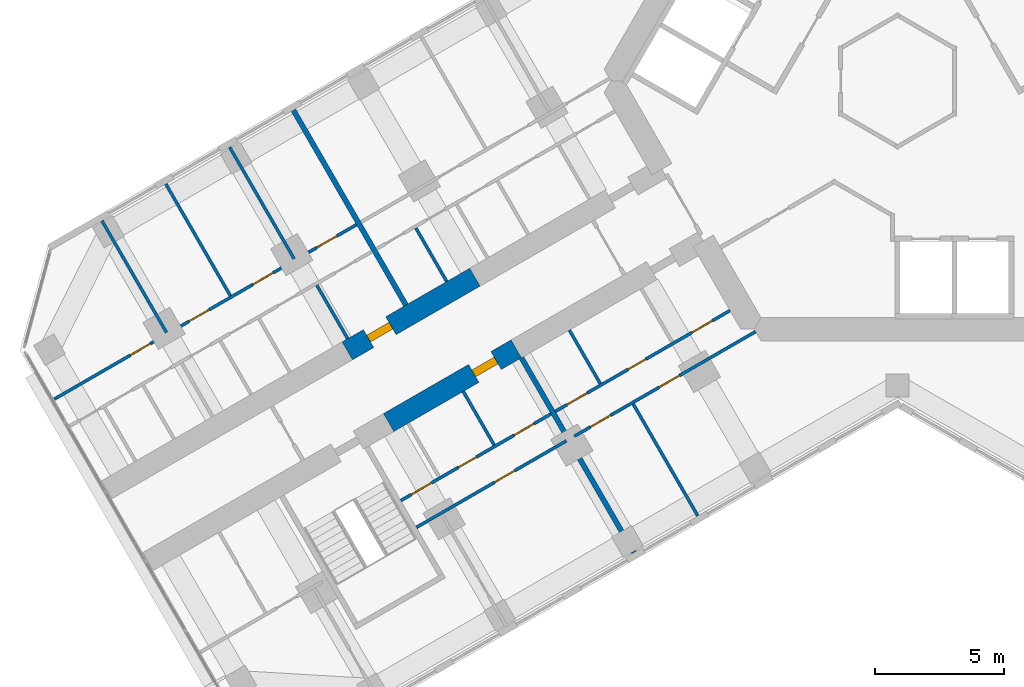
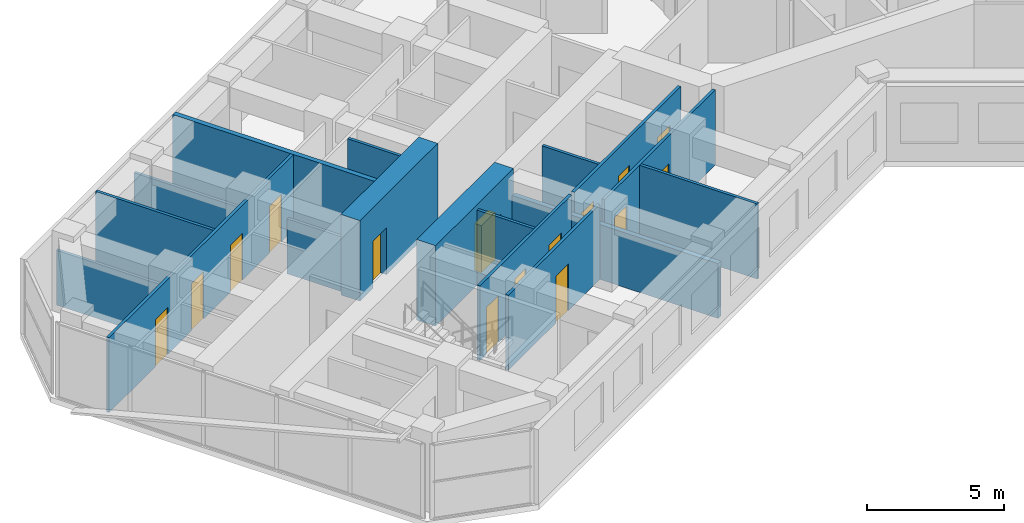
# One storey, part 11 of 20: 17 walls, 15 doors, 15 openings.
"""IFC4 building model written with IfcOpenShell, lengths in metres."""

from ifc_helpers import new_model, si_unit, direction, frame, frame_2d, origin, place, context, subcontext, project, spatial, rectangle, extrude, material, layer, layer_set, type_object, element, fill, save


model = new_model("IFC4")

# Units and contexts
model_context = context("Model", 3, precision=1e-05, world=origin(), true_north=direction((0.0, 1.0)))
body_context = subcontext(model_context, "Body", "Model", "MODEL_VIEW")
ifc_project = project(units=[si_unit("LENGTHUNIT", "METRE"), si_unit("AREAUNIT", "SQUARE_METRE"), si_unit("VOLUMEUNIT", "CUBIC_METRE"), si_unit("PLANEANGLEUNIT", "RADIAN"), si_unit("MASSUNIT", "GRAM", prefix="KILO")], contexts=[model_context])

# Site, building, storey
site_placement = place(None, origin())
site = spatial("IfcSite", under=ifc_project, at=site_placement, CompositionType="ELEMENT")
building_placement = place(site_placement, origin())
building = spatial("IfcBuilding", under=site, at=building_placement, Name="Kosmar Iwan School Tower", CompositionType="ELEMENT")
storey_placement = place(building_placement, frame((0.0, 0.0, 131.0)))
storey = spatial("IfcBuildingStorey", under=building, at=storey_placement, Name="L32", CompositionType="ELEMENT", Elevation=131.0)

# Wall, opening, door
ifc_material_1 = material(Name="Concrete C50/60", Category="concrete")
ifc_layer_1 = layer(ifc_material_1, 0.800048828125)
ifc_layer_set_1 = layer_set([ifc_layer_1], Name="Corridor buttress wall 800")
wall_type_1 = type_object("IfcWallType", Name="Corridor buttress wall 800", PredefinedType="SHEAR", material=ifc_layer_set_1)
wall_1_placement = place(storey_placement, frame((-14.7451171875, -10.360595703125, 0.0), z_axis=(0.0, 0.0, 1.0), x_axis=(-0.866015111908, -0.50001782563, 0.0)))
wall_1 = element("IfcWall", 1, at=wall_1_placement, inside=storey, type_object=wall_type_1, Name="Corridor wall BL bay 2", PredefinedType="SHEAR", context=body_context, shape_type="SweptSolid", body=[
    extrude(rectangle(XDim=5.699951171875, YDim=0.800048828125, at=frame_2d((2.85009765625, 0.0))), origin(), (0.0, 0.0, 1.0), 3.60009765625),
])
opening_1_placement = place(wall_1_placement, frame((0.89990234375, 0.0, 0.0)))
opening_1 = element("IfcOpeningElement", 2, at=opening_1_placement, cuts=wall_1, Name="Opening D1", PredefinedType="OPENING", context=body_context, shape_type="SweptSolid", body=[
    extrude(rectangle(XDim=1.0, YDim=2.10009765625, at=frame_2d((0.5, 1.050048828125))), frame((0.0, 0.412109375, 0.0), z_axis=(0.0, -1.0, 0.0), x_axis=(1.0, 0.0, 0.0)), (0.0, 0.0, 1.0), 0.823974609375),
])
ifc_material_2 = material(Name="Timber fire door in steel frame", Category="steel")
door_type_1 = type_object("IfcDoorType", Name="Flat entrance door 1000x2100", OperationType="SINGLE_SWING_LEFT", PredefinedType="DOOR", material=ifc_material_2)
door_1_placement = place(opening_1_placement, origin())
door_1 = element("IfcDoor", 3, at=door_1_placement, inside=storey, type_object=door_type_1, Name="Flat L32-BL2 entrance door", OperationType="SINGLE_SWING_RIGHT", OverallHeight=2.10009765625, OverallWidth=1.0, PredefinedType="DOOR", context=body_context, shape_type="SweptSolid", body=[
    extrude(rectangle(XDim=1.0, YDim=2.10009765625, at=frame_2d((0.5, 1.050048828125))), frame((0.0, 0.14990234375, 0.0), z_axis=(0.0, -1.0, 0.0), x_axis=(1.0, 0.0, 0.0)), (0.0, 0.0, 1.0), 0.300048828125),
])
fill(opening_1, door_1)

wall_2_placement = place(storey_placement, frame((-16.34521484375, -7.58935546875, 0.0), z_axis=(0.0, 0.0, 1.0), x_axis=(-0.866015111908, -0.50001782563, 0.0)))
wall_2 = element("IfcWall", 4, at=wall_2_placement, inside=storey, type_object=wall_type_1, Name="Corridor wall BR bay 2", PredefinedType="SHEAR", context=body_context, shape_type="SweptSolid", body=[
    extrude(rectangle(XDim=5.699951171875, YDim=0.800048828125, at=frame_2d((2.85009765625, 0.0))), origin(), (0.0, 0.0, 1.0), 3.60009765625),
])
opening_2_placement = place(wall_2_placement, frame((3.75, 0.0, 0.0)))
opening_2 = element("IfcOpeningElement", 5, at=opening_2_placement, cuts=wall_2, Name="Opening D1", PredefinedType="OPENING", context=body_context, shape_type="SweptSolid", body=[
    extrude(rectangle(XDim=1.0, YDim=2.10009765625, at=frame_2d((0.5, 1.050048828125))), frame((0.0, 0.412109375, 0.0), z_axis=(0.0, -1.0, 0.0), x_axis=(1.0, 0.0, 0.0)), (0.0, 0.0, 1.0), 0.823974609375),
])
door_2_placement = place(opening_2_placement, origin())
door_2 = element("IfcDoor", 6, at=door_2_placement, inside=storey, type_object=door_type_1, Name="Flat L32-BR2 entrance door", OperationType="SINGLE_SWING_RIGHT", OverallHeight=2.10009765625, OverallWidth=1.0, PredefinedType="DOOR", context=body_context, shape_type="SweptSolid", body=[
    extrude(rectangle(XDim=1.0, YDim=2.10009765625, at=frame_2d((0.5, 1.050048828125))), frame((0.0, 0.14990234375, 0.0), z_axis=(0.0, -1.0, 0.0), x_axis=(1.0, 0.0, 0.0)), (0.0, 0.0, 1.0), 0.300048828125),
])
fill(opening_2, door_2)

# Wall, openings, doors
ifc_material_3 = material(Name="Gypsum board on steel studs", Category="steel")
ifc_layer_2 = layer(ifc_material_3, 0.1201171875)
ifc_layer_set_2 = layer_set([ifc_layer_2], Name="Dwelling partition 120")
wall_type_2 = type_object("IfcWallType", Name="Dwelling partition 120", PredefinedType="PARTITIONING", material=ifc_layer_set_2)
wall_3_placement = place(storey_placement, frame((-6.478515625, -8.87890625, 0.0), z_axis=(0.0, 0.0, 1.0), x_axis=(-0.866034953203, -0.499983459557, 0.0)))
wall_3 = element("IfcWall", 7, at=wall_3_placement, inside=storey, type_object=wall_type_2, Name="Partition L32-BL1-W1", PredefinedType="PARTITIONING", context=body_context, shape_type="SweptSolid", body=[
    extrude(rectangle(XDim=7.800048828125, YDim=0.1201171875, at=frame_2d((3.89990234375, 0.0))), origin(), (0.0, 0.0, 1.0), 3.35009765625),
])
opening_3_placement = place(wall_3_placement, frame((0.800048828125, 0.0, 0.0)))
opening_3 = element("IfcOpeningElement", 8, at=opening_3_placement, cuts=wall_3, Name="Opening D2", PredefinedType="OPENING", context=body_context, shape_type="SweptSolid", body=[
    extrude(rectangle(XDim=0.89990234375, YDim=2.10009765625, at=frame_2d((0.449951171875, 1.050048828125))), frame((0.0, 0.072021484375, 0.0), z_axis=(0.0, -1.0, 0.0), x_axis=(1.0, 0.0, 0.0)), (0.0, 0.0, 1.0), 0.14404296875),
])
opening_4_placement = place(wall_3_placement, frame((3.755126953125, 0.0, 0.0)))
opening_4 = element("IfcOpeningElement", 9, at=opening_4_placement, cuts=wall_3, Name="Opening D3", PredefinedType="OPENING", context=body_context, shape_type="SweptSolid", body=[
    extrude(rectangle(XDim=0.800048828125, YDim=2.10009765625, at=frame_2d((0.39990234375, 1.050048828125))), frame((0.0, 0.072021484375, 0.0), z_axis=(0.0, -1.0, 0.0), x_axis=(1.0, 0.0, 0.0)), (0.0, 0.0, 1.0), 0.14404296875),
])
opening_5_placement = place(wall_3_placement, frame((6.380126953125, 0.0, 0.0)))
opening_5 = element("IfcOpeningElement", 10, at=opening_5_placement, cuts=wall_3, Name="Opening D2", PredefinedType="OPENING", context=body_context, shape_type="SweptSolid", body=[
    extrude(rectangle(XDim=0.89990234375, YDim=2.10009765625, at=frame_2d((0.449951171875, 1.050048828125))), frame((0.0, 0.072021484375, 0.0), z_axis=(0.0, -1.0, 0.0), x_axis=(1.0, 0.0, 0.0)), (0.0, 0.0, 1.0), 0.14404296875),
])
ifc_material_4 = material(Name="Timber door in timber frame", Category="wood")
door_type_2 = type_object("IfcDoorType", Name="Internal door 900x2100", OperationType="SINGLE_SWING_LEFT", PredefinedType="DOOR", material=ifc_material_4)
door_3_placement = place(opening_3_placement, origin())
door_3 = element("IfcDoor", 11, at=door_3_placement, inside=storey, type_object=door_type_2, Name="Entrance hall door L32-BL1-S1", OperationType="SINGLE_SWING_LEFT", OverallHeight=2.10009765625, OverallWidth=0.89990234375, PredefinedType="DOOR", context=body_context, shape_type="SweptSolid", body=[
    extrude(rectangle(XDim=0.89990234375, YDim=2.10009765625, at=frame_2d((0.449951171875, 1.050048828125))), frame((0.0, 0.02490234375, 0.0), z_axis=(0.0, -1.0, 0.0), x_axis=(1.0, 0.0, 0.0)), (0.0, 0.0, 1.0), 0.050048828125),
])
fill(opening_3, door_3)
door_4_placement = place(opening_5_placement, origin())
door_4 = element("IfcDoor", 12, at=door_4_placement, inside=storey, type_object=door_type_2, Name="Pantry door L32-BL1-S3", OperationType="SINGLE_SWING_RIGHT", OverallHeight=2.10009765625, OverallWidth=0.89990234375, PredefinedType="DOOR", context=body_context, shape_type="SweptSolid", body=[
    extrude(rectangle(XDim=0.89990234375, YDim=2.10009765625, at=frame_2d((0.449951171875, 1.050048828125))), frame((0.0, 0.02490234375, 0.0), z_axis=(0.0, -1.0, 0.0), x_axis=(1.0, 0.0, 0.0)), (0.0, 0.0, 1.0), 0.050048828125),
])
fill(opening_5, door_4)
ifc_material_5 = material(Name="Timber door in timber frame", Category="wood")
door_type_3 = type_object("IfcDoorType", Name="Sanitary room door 800x2100", OperationType="SINGLE_SWING_LEFT", PredefinedType="DOOR", material=ifc_material_5)
door_5_placement = place(opening_4_placement, origin())
door_5 = element("IfcDoor", 13, at=door_5_placement, inside=storey, type_object=door_type_3, Name="Bathroom door L32-BL1-S2", OperationType="SINGLE_SWING_RIGHT", OverallHeight=2.10009765625, OverallWidth=0.800048828125, PredefinedType="DOOR", context=body_context, shape_type="SweptSolid", body=[
    extrude(rectangle(XDim=0.800048828125, YDim=2.10009765625, at=frame_2d((0.39990234375, 1.050048828125))), frame((0.0, 0.02490234375, 0.0), z_axis=(0.0, -1.0, 0.0), x_axis=(1.0, 0.0, 0.0)), (0.0, 0.0, 1.0), 0.050048828125),
])
fill(opening_4, door_5)

wall_4_placement = place(storey_placement, frame((-5.48876953125, -9.693115234375, 0.0), z_axis=(0.0, 0.0, 1.0), x_axis=(-0.866025472755, -0.499999880539, 0.0)))
wall_4 = element("IfcWall", 14, at=wall_4_placement, inside=storey, type_object=wall_type_2, Name="Partition L32-BL1-W2", PredefinedType="PARTITIONING", context=body_context, shape_type="SweptSolid", body=[
    extrude(rectangle(XDim=8.10009765625, YDim=0.1201171875, at=frame_2d((4.050048828125, 0.0))), origin(), (0.0, 0.0, 1.0), 3.35009765625),
])
opening_6_placement = place(wall_4_placement, frame((3.39990234375, 0.0, 0.0)))
opening_6 = element("IfcOpeningElement", 15, at=opening_6_placement, cuts=wall_4, Name="Opening D2", PredefinedType="OPENING", context=body_context, shape_type="SweptSolid", body=[
    extrude(rectangle(XDim=0.89990234375, YDim=2.10009765625, at=frame_2d((0.449951171875, 1.050048828125))), frame((0.0, 0.072021484375, 0.0), z_axis=(0.0, -1.0, 0.0), x_axis=(1.0, 0.0, 0.0)), (0.0, 0.0, 1.0), 0.14404296875),
])
opening_7_placement = place(wall_4_placement, frame((6.47509765625, 0.0, 0.0)))
opening_7 = element("IfcOpeningElement", 16, at=opening_7_placement, cuts=wall_4, Name="Opening D2", PredefinedType="OPENING", context=body_context, shape_type="SweptSolid", body=[
    extrude(rectangle(XDim=0.89990234375, YDim=2.10009765625, at=frame_2d((0.449951171875, 1.050048828125))), frame((0.0, 0.072021484375, 0.0), z_axis=(0.0, -1.0, 0.0), x_axis=(1.0, 0.0, 0.0)), (0.0, 0.0, 1.0), 0.14404296875),
])
door_6_placement = place(opening_6_placement, origin())
door_6 = element("IfcDoor", 17, at=door_6_placement, inside=storey, type_object=door_type_2, Name="Family room and kitchen door L32-BL1-F1", OperationType="SINGLE_SWING_RIGHT", OverallHeight=2.10009765625, OverallWidth=0.89990234375, PredefinedType="DOOR", context=body_context, shape_type="SweptSolid", body=[
    extrude(rectangle(XDim=0.89990234375, YDim=2.10009765625, at=frame_2d((0.449951171875, 1.050048828125))), frame((0.0, 0.02490234375, 0.0), z_axis=(0.0, -1.0, 0.0), x_axis=(1.0, 0.0, 0.0)), (0.0, 0.0, 1.0), 0.050048828125),
])
fill(opening_6, door_6)
door_7_placement = place(opening_7_placement, origin())
door_7 = element("IfcDoor", 18, at=door_7_placement, inside=storey, type_object=door_type_2, Name="Bedroom 1 door L32-BL1-F2", OperationType="SINGLE_SWING_RIGHT", OverallHeight=2.10009765625, OverallWidth=0.89990234375, PredefinedType="DOOR", context=body_context, shape_type="SweptSolid", body=[
    extrude(rectangle(XDim=0.89990234375, YDim=2.10009765625, at=frame_2d((0.449951171875, 1.050048828125))), frame((0.0, 0.02490234375, 0.0), z_axis=(0.0, -1.0, 0.0), x_axis=(1.0, 0.0, 0.0)), (0.0, 0.0, 1.0), 0.050048828125),
])
fill(opening_7, door_7)

# Walls
wall_5_placement = place(storey_placement, frame((-10.221923828125, -12.4951171875, 0.0), z_axis=(0.0, 0.0, 1.0), x_axis=(0.499996339024, -0.86602751744, 0.0)))
element("IfcWall", 19, at=wall_5_placement, inside=storey, type_object=wall_type_2, Name="Partition L32-BL1-X1", PredefinedType="PARTITIONING", context=body_context, shape_type="SweptSolid", body=[
    extrude(rectangle(XDim=4.98974609375, YDim=0.1201171875, at=frame_2d((2.494873046875, 0.0))), origin(), (0.0, 0.0, 1.0), 3.35009765625),
])
wall_6_placement = place(storey_placement, frame((-12.69189453125, -9.636962890625, 0.0), z_axis=(0.0, 0.0, 1.0), x_axis=(0.500017192868, -0.86601547725, 0.0)))
element("IfcWall", 20, at=wall_6_placement, inside=storey, type_object=wall_type_2, Name="Partition L32-BL1-Y2", PredefinedType="PARTITIONING", context=body_context, shape_type="SweptSolid", body=[
    extrude(rectangle(XDim=2.39013671875, YDim=0.1201171875, at=frame_2d((1.195068359375, 0.0))), origin(), (0.0, 0.0, 1.0), 3.35009765625),
])

# Wall, openings, doors
wall_7_placement = place(storey_placement, frame((-13.40673828125, -12.87890625, 0.0), z_axis=(0.0, 0.0, 1.0), x_axis=(-0.866039349182, -0.499975845085, 0.0)))
wall_7 = element("IfcWall", 21, at=wall_7_placement, inside=storey, type_object=wall_type_2, Name="Partition L32-BL2-W1", PredefinedType="PARTITIONING", context=body_context, shape_type="SweptSolid", body=[
    extrude(rectangle(XDim=6.699951171875, YDim=0.1201171875, at=frame_2d((3.35009765625, 0.0))), origin(), (0.0, 0.0, 1.0), 3.35009765625),
])
opening_8_placement = place(wall_7_placement, frame((0.75, 0.0, 0.0)))
opening_8 = element("IfcOpeningElement", 22, at=opening_8_placement, cuts=wall_7, Name="Opening D2", PredefinedType="OPENING", context=body_context, shape_type="SweptSolid", body=[
    extrude(rectangle(XDim=0.89990234375, YDim=2.10009765625, at=frame_2d((0.449951171875, 1.050048828125))), frame((0.0, 0.072021484375, 0.0), z_axis=(0.0, -1.0, 0.0), x_axis=(1.0, 0.0, 0.0)), (0.0, 0.0, 1.0), 0.14404296875),
])
opening_9_placement = place(wall_7_placement, frame((3.330078125, 0.0, 0.0)))
opening_9 = element("IfcOpeningElement", 23, at=opening_9_placement, cuts=wall_7, Name="Opening D3", PredefinedType="OPENING", context=body_context, shape_type="SweptSolid", body=[
    extrude(rectangle(XDim=0.800048828125, YDim=2.10009765625, at=frame_2d((0.39990234375, 1.050048828125))), frame((0.0, 0.072021484375, 0.0), z_axis=(0.0, -1.0, 0.0), x_axis=(1.0, 0.0, 0.0)), (0.0, 0.0, 1.0), 0.14404296875),
])
opening_10_placement = place(wall_7_placement, frame((5.330078125, 0.0, 0.0)))
opening_10 = element("IfcOpeningElement", 24, at=opening_10_placement, cuts=wall_7, Name="Opening D2", PredefinedType="OPENING", context=body_context, shape_type="SweptSolid", body=[
    extrude(rectangle(XDim=0.89990234375, YDim=2.10009765625, at=frame_2d((0.449951171875, 1.050048828125))), frame((0.0, 0.072021484375, 0.0), z_axis=(0.0, -1.0, 0.0), x_axis=(1.0, 0.0, 0.0)), (0.0, 0.0, 1.0), 0.14404296875),
])
door_8_placement = place(opening_8_placement, origin())
door_8 = element("IfcDoor", 25, at=door_8_placement, inside=storey, type_object=door_type_2, Name="Entrance hall door L32-BL2-S1", OperationType="SINGLE_SWING_LEFT", OverallHeight=2.10009765625, OverallWidth=0.89990234375, PredefinedType="DOOR", context=body_context, shape_type="SweptSolid", body=[
    extrude(rectangle(XDim=0.89990234375, YDim=2.10009765625, at=frame_2d((0.449951171875, 1.050048828125))), frame((0.0, 0.02490234375, 0.0), z_axis=(0.0, -1.0, 0.0), x_axis=(1.0, 0.0, 0.0)), (0.0, 0.0, 1.0), 0.050048828125),
])
fill(opening_8, door_8)
door_9_placement = place(opening_10_placement, frame((0.89990234375, 0.0, 0.0), z_axis=(0.0, 0.0, 1.0), x_axis=(-1.0, 0.0, 0.0)))
door_9 = element("IfcDoor", 26, at=door_9_placement, inside=storey, type_object=door_type_2, Name="Pantry door L32-BL2-S3", OperationType="SINGLE_SWING_LEFT", OverallHeight=2.10009765625, OverallWidth=0.89990234375, PredefinedType="DOOR", context=body_context, shape_type="SweptSolid", body=[
    extrude(rectangle(XDim=0.89990234375, YDim=2.10009765625, at=frame_2d((0.449951171875, 1.050048828125))), frame((0.0, 0.02490234375, 0.0), z_axis=(0.0, -1.0, 0.0), x_axis=(1.0, 0.0, 0.0)), (0.0, 0.0, 1.0), 0.050048828125),
])
fill(opening_10, door_9)
door_10_placement = place(opening_9_placement, origin())
door_10 = element("IfcDoor", 27, at=door_10_placement, inside=storey, type_object=door_type_3, Name="Bathroom door L32-BL2-S2", OperationType="SINGLE_SWING_RIGHT", OverallHeight=2.10009765625, OverallWidth=0.800048828125, PredefinedType="DOOR", context=body_context, shape_type="SweptSolid", body=[
    extrude(rectangle(XDim=0.800048828125, YDim=2.10009765625, at=frame_2d((0.39990234375, 1.050048828125))), frame((0.0, 0.02490234375, 0.0), z_axis=(0.0, -1.0, 0.0), x_axis=(1.0, 0.0, 0.0)), (0.0, 0.0, 1.0), 0.050048828125),
])
fill(opening_9, door_10)

# Wall, opening, door
wall_8_placement = place(storey_placement, frame((-12.806640625, -13.91796875, 0.0), z_axis=(0.0, 0.0, 1.0), x_axis=(-0.866023571113, -0.500003174267, 0.0)))
wall_8 = element("IfcWall", 28, at=wall_8_placement, inside=storey, type_object=wall_type_2, Name="Partition L32-BL2-W2", PredefinedType="PARTITIONING", context=body_context, shape_type="SweptSolid", body=[
    extrude(rectangle(XDim=6.7001953125, YDim=0.1201171875, at=frame_2d((3.35009765625, 0.0))), origin(), (0.0, 0.0, 1.0), 3.35009765625),
])
opening_11_placement = place(wall_8_placement, frame((2.300048828125, 0.0, 0.0)))
opening_11 = element("IfcOpeningElement", 29, at=opening_11_placement, cuts=wall_8, Name="Opening D2", PredefinedType="OPENING", context=body_context, shape_type="SweptSolid", body=[
    extrude(rectangle(XDim=0.89990234375, YDim=2.10009765625, at=frame_2d((0.449951171875, 1.050048828125))), frame((0.0, 0.072021484375, 0.0), z_axis=(0.0, -1.0, 0.0), x_axis=(1.0, 0.0, 0.0)), (0.0, 0.0, 1.0), 0.14404296875),
])
door_11_placement = place(opening_11_placement, origin())
door_11 = element("IfcDoor", 30, at=door_11_placement, inside=storey, type_object=door_type_2, Name="Studio living room and kitchen door L32-BL2-F1", OperationType="SINGLE_SWING_RIGHT", OverallHeight=2.10009765625, OverallWidth=0.89990234375, PredefinedType="DOOR", context=body_context, shape_type="SweptSolid", body=[
    extrude(rectangle(XDim=0.89990234375, YDim=2.10009765625, at=frame_2d((0.449951171875, 1.050048828125))), frame((0.0, 0.02490234375, 0.0), z_axis=(0.0, -1.0, 0.0), x_axis=(1.0, 0.0, 0.0)), (0.0, 0.0, 1.0), 0.050048828125),
])
fill(opening_11, door_11)

# Walls
wall_9_placement = place(storey_placement, frame((-16.796875, -12.007080078125, 0.0), z_axis=(0.0, 0.0, 1.0), x_axis=(0.500017192868, -0.86601547725, 0.0)))
element("IfcWall", 31, at=wall_9_placement, inside=storey, type_object=wall_type_2, Name="Partition L32-BL2-Y1", PredefinedType="PARTITIONING", context=body_context, shape_type="SweptSolid", body=[
    extrude(rectangle(XDim=2.39013671875, YDim=0.1201171875, at=frame_2d((1.195068359375, 0.0))), origin(), (0.0, 0.0, 1.0), 3.35009765625),
])
wall_10_placement = place(storey_placement, frame((-17.435302734375, -7.7568359375, 0.0), z_axis=(0.0, 0.0, 1.0), x_axis=(-0.499940577336, 0.866059708757, 0.0)))
element("IfcWall", 32, at=wall_10_placement, inside=storey, type_object=wall_type_2, Name="Partition L32-BR1-Y4", PredefinedType="PARTITIONING", context=body_context, shape_type="SweptSolid", body=[
    extrude(rectangle(XDim=2.389892578125, YDim=0.1201171875, at=frame_2d((1.19482421875, 0.0))), origin(), (0.0, 0.0, 1.0), 3.35009765625),
])

# Wall, openings, doors
wall_11_placement = place(storey_placement, frame((-20.9248046875, -5.556884765625, 0.0), z_axis=(0.0, 0.0, 1.0), x_axis=(-0.866028025956, -0.499995458239, 0.0)))
wall_11 = element("IfcWall", 33, at=wall_11_placement, inside=storey, type_object=wall_type_2, Name="Partition L32-BR2-W2", PredefinedType="PARTITIONING", context=body_context, shape_type="SweptSolid", body=[
    extrude(rectangle(XDim=13.495361328125, YDim=0.1201171875, at=frame_2d((6.74755859375, 0.0))), origin(), (0.0, 0.0, 1.0), 3.35009765625),
])
opening_12_placement = place(wall_11_placement, frame((0.875, 0.0, 0.0)))
opening_12 = element("IfcOpeningElement", 34, at=opening_12_placement, cuts=wall_11, Name="Opening D2", PredefinedType="OPENING", context=body_context, shape_type="SweptSolid", body=[
    extrude(rectangle(XDim=0.89990234375, YDim=2.10009765625, at=frame_2d((0.449951171875, 1.050048828125))), frame((0.0, 0.072021484375, 0.0), z_axis=(0.0, -1.0, 0.0), x_axis=(1.0, 0.0, 0.0)), (0.0, 0.0, 1.0), 0.14404296875),
])
opening_13_placement = place(wall_11_placement, frame((3.72509765625, 0.0, 0.0)))
opening_13 = element("IfcOpeningElement", 35, at=opening_13_placement, cuts=wall_11, Name="Opening D2", PredefinedType="OPENING", context=body_context, shape_type="SweptSolid", body=[
    extrude(rectangle(XDim=0.89990234375, YDim=2.10009765625, at=frame_2d((0.449951171875, 1.050048828125))), frame((0.0, 0.072021484375, 0.0), z_axis=(0.0, -1.0, 0.0), x_axis=(1.0, 0.0, 0.0)), (0.0, 0.0, 1.0), 0.14404296875),
])
opening_14_placement = place(wall_11_placement, frame((6.574951171875, 0.0, 0.0)))
opening_14 = element("IfcOpeningElement", 36, at=opening_14_placement, cuts=wall_11, Name="Opening D2", PredefinedType="OPENING", context=body_context, shape_type="SweptSolid", body=[
    extrude(rectangle(XDim=0.89990234375, YDim=2.10009765625, at=frame_2d((0.449951171875, 1.050048828125))), frame((0.0, 0.072021484375, 0.0), z_axis=(0.0, -1.0, 0.0), x_axis=(1.0, 0.0, 0.0)), (0.0, 0.0, 1.0), 0.14404296875),
])
opening_15_placement = place(wall_11_placement, frame((9.199951171875, 0.0, 0.0)))
opening_15 = element("IfcOpeningElement", 37, at=opening_15_placement, cuts=wall_11, Name="Opening D2", PredefinedType="OPENING", context=body_context, shape_type="SweptSolid", body=[
    extrude(rectangle(XDim=0.89990234375, YDim=2.10009765625, at=frame_2d((0.449951171875, 1.050048828125))), frame((0.0, 0.072021484375, 0.0), z_axis=(0.0, -1.0, 0.0), x_axis=(1.0, 0.0, 0.0)), (0.0, 0.0, 1.0), 0.14404296875),
])
door_12_placement = place(opening_12_placement, origin())
door_12 = element("IfcDoor", 38, at=door_12_placement, inside=storey, type_object=door_type_2, Name="Bedroom 1 door L32-BR2-F1", OperationType="SINGLE_SWING_LEFT", OverallHeight=2.10009765625, OverallWidth=0.89990234375, PredefinedType="DOOR", context=body_context, shape_type="SweptSolid", body=[
    extrude(rectangle(XDim=0.89990234375, YDim=2.10009765625, at=frame_2d((0.449951171875, 1.050048828125))), frame((0.0, 0.02490234375, 0.0), z_axis=(0.0, -1.0, 0.0), x_axis=(1.0, 0.0, 0.0)), (0.0, 0.0, 1.0), 0.050048828125),
])
fill(opening_12, door_12)
door_13_placement = place(opening_13_placement, origin())
door_13 = element("IfcDoor", 39, at=door_13_placement, inside=storey, type_object=door_type_2, Name="Kitchen and dining room door L32-BR2-F2", OperationType="SINGLE_SWING_LEFT", OverallHeight=2.10009765625, OverallWidth=0.89990234375, PredefinedType="DOOR", context=body_context, shape_type="SweptSolid", body=[
    extrude(rectangle(XDim=0.89990234375, YDim=2.10009765625, at=frame_2d((0.449951171875, 1.050048828125))), frame((0.0, 0.02490234375, 0.0), z_axis=(0.0, -1.0, 0.0), x_axis=(1.0, 0.0, 0.0)), (0.0, 0.0, 1.0), 0.050048828125),
])
fill(opening_13, door_13)
door_14_placement = place(opening_14_placement, origin())
door_14 = element("IfcDoor", 40, at=door_14_placement, inside=storey, type_object=door_type_2, Name="Bedroom 2 door L32-BR2-F3", OperationType="SINGLE_SWING_RIGHT", OverallHeight=2.10009765625, OverallWidth=0.89990234375, PredefinedType="DOOR", context=body_context, shape_type="SweptSolid", body=[
    extrude(rectangle(XDim=0.89990234375, YDim=2.10009765625, at=frame_2d((0.449951171875, 1.050048828125))), frame((0.0, 0.02490234375, 0.0), z_axis=(0.0, -1.0, 0.0), x_axis=(1.0, 0.0, 0.0)), (0.0, 0.0, 1.0), 0.050048828125),
])
fill(opening_14, door_14)
door_15_placement = place(opening_15_placement, origin())
door_15 = element("IfcDoor", 41, at=door_15_placement, inside=storey, type_object=door_type_2, Name="Living room door L32-BR2-F4", OperationType="SINGLE_SWING_RIGHT", OverallHeight=2.10009765625, OverallWidth=0.89990234375, PredefinedType="DOOR", context=body_context, shape_type="SweptSolid", body=[
    extrude(rectangle(XDim=0.89990234375, YDim=2.10009765625, at=frame_2d((0.449951171875, 1.050048828125))), frame((0.0, 0.02490234375, 0.0), z_axis=(0.0, -1.0, 0.0), x_axis=(1.0, 0.0, 0.0)), (0.0, 0.0, 1.0), 0.050048828125),
])
fill(opening_15, door_15)

# Walls
wall_12_placement = place(storey_placement, frame((-23.33642578125, -6.8798828125, 0.0), z_axis=(0.0, 0.0, 1.0), x_axis=(-0.500033033937, 0.866006330792, 0.0)))
element("IfcWall", 42, at=wall_12_placement, inside=storey, type_object=wall_type_2, Name="Partition L32-BR2-X1", PredefinedType="PARTITIONING", context=body_context, shape_type="SweptSolid", body=[
    extrude(rectangle(XDim=4.989990234375, YDim=0.1201171875, at=frame_2d((2.4951171875, 0.0))), origin(), (0.0, 0.0, 1.0), 2.449951171875),
])
wall_13_placement = place(storey_placement, frame((-25.8046875, -8.304931640625, 0.0), z_axis=(0.0, 0.0, 1.0), x_axis=(-0.499975153383, 0.86603974851, 0.0)))
element("IfcWall", 43, at=wall_13_placement, inside=storey, type_object=wall_type_2, Name="Partition L32-BR2-X2", PredefinedType="PARTITIONING", context=body_context, shape_type="SweptSolid", body=[
    extrude(rectangle(XDim=4.989990234375, YDim=0.1201171875, at=frame_2d((2.4951171875, 0.0))), origin(), (0.0, 0.0, 1.0), 3.35009765625),
])
wall_14_placement = place(storey_placement, frame((-28.27294921875, -9.72998046875, 0.0), z_axis=(0.0, 0.0, 1.0), x_axis=(-0.499975153383, 0.86603974851, 0.0)))
element("IfcWall", 44, at=wall_14_placement, inside=storey, type_object=wall_type_2, Name="Partition L32-BR2-X3", PredefinedType="PARTITIONING", context=body_context, shape_type="SweptSolid", body=[
    extrude(rectangle(XDim=4.989990234375, YDim=0.1201171875, at=frame_2d((2.4951171875, 0.0))), origin(), (0.0, 0.0, 1.0), 2.449951171875),
])
wall_15_placement = place(storey_placement, frame((-21.264892578125, -9.968017578125, 0.0), z_axis=(0.0, 0.0, 1.0), x_axis=(-0.500017192868, 0.86601547725, 0.0)))
element("IfcWall", 45, at=wall_15_placement, inside=storey, type_object=wall_type_2, Name="Partition L32-BR2-Y1", PredefinedType="PARTITIONING", context=body_context, shape_type="SweptSolid", body=[
    extrude(rectangle(XDim=2.39013671875, YDim=0.1201171875, at=frame_2d((1.195068359375, 0.0))), origin(), (0.0, 0.0, 1.0), 2.449951171875),
])
ifc_material_6 = material(Name="Concrete block masonry", Category="masonry")
ifc_layer_3 = layer(ifc_material_6, 0.199951171875)
ifc_layer_set_3 = layer_set([ifc_layer_3], Name="Party wall 200")
wall_type_3 = type_object("IfcWallType", Name="Party wall 200", PredefinedType="PARTITIONING", material=ifc_layer_set_3)
wall_16_placement = place(storey_placement, frame((-14.545166015625, -10.70703125, 0.0), z_axis=(0.0, 0.0, 1.0), x_axis=(0.500008278454, -0.866020624164, 0.0)))
element("IfcWall", 46, at=wall_16_placement, inside=storey, type_object=wall_type_3, Name="Partition L32-BL2-PW", PredefinedType="PARTITIONING", context=body_context, shape_type="SweptSolid", body=[
    extrude(rectangle(XDim=8.699951171875, YDim=0.199951171875, at=frame_2d((4.35009765625, 0.0))), origin(), (0.0, 0.0, 1.0), 2.449951171875),
])
wall_17_placement = place(storey_placement, frame((-19.013427734375, -8.66796875, 0.0), z_axis=(0.0, 0.0, 1.0), x_axis=(-0.499987231761, 0.866032775405, 0.0)))
element("IfcWall", 47, at=wall_17_placement, inside=storey, type_object=wall_type_3, Name="Partition L32-BR2-PW", PredefinedType="PARTITIONING", context=body_context, shape_type="SweptSolid", body=[
    extrude(rectangle(XDim=8.699951171875, YDim=0.199951171875, at=frame_2d((4.35009765625, 0.0))), origin(), (0.0, 0.0, 1.0), 3.35009765625),
])

save(model, "model.ifc")
